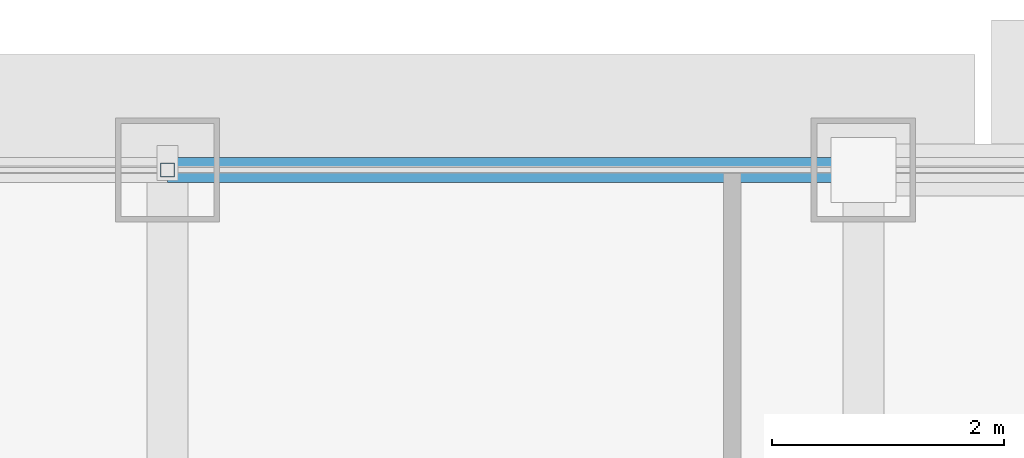
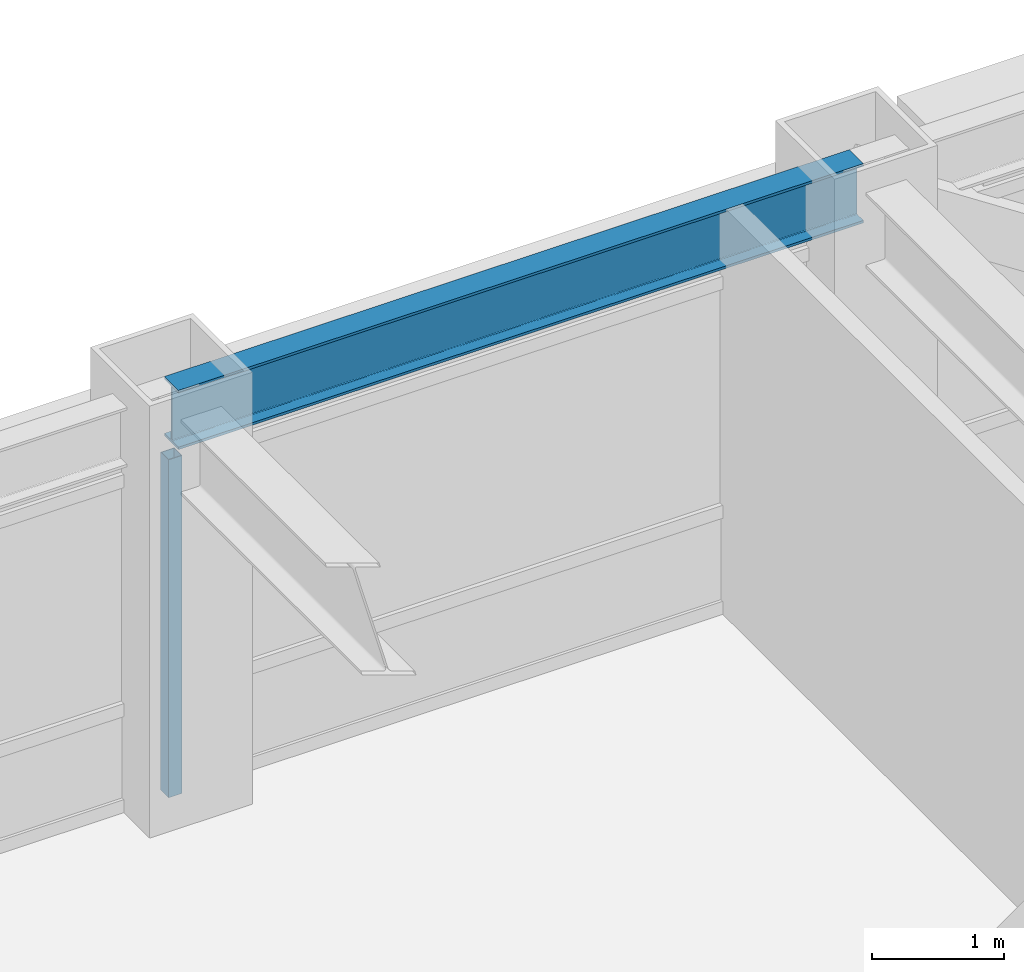
# One storey, part 16 of 29: 1 beam, 1 member, 1 element without a shape of its own.
"""IFC4 building model written with IfcOpenShell, lengths in metres."""

from ifc_helpers import new_model, si_unit, direction, frame, origin, origin_2d, place, context, subcontext, project, spatial, hollow_rectangle, i_section, extrude, source, transform, mapped, material, material_profile, profile_set, type_object, element, aggregate, save


model = new_model("IFC4")

# Units and contexts
model_context = context("Model", 3, precision=1e-05, world=origin(), true_north=direction((0.0, 1.0)))
body_context = subcontext(model_context, "Body", "Model", "MODEL_VIEW")
ifc_project = project(units=[si_unit("LENGTHUNIT", "METRE"), si_unit("AREAUNIT", "SQUARE_METRE"), si_unit("VOLUMEUNIT", "CUBIC_METRE"), si_unit("PLANEANGLEUNIT", "RADIAN"), si_unit("MASSUNIT", "GRAM", prefix="KILO")], contexts=[model_context])

# Site, building, storey
site_placement = place(None, origin())
site = spatial("IfcSite", under=ifc_project, at=site_placement, CompositionType="ELEMENT")
building_placement = place(site_placement, origin())
building = spatial("IfcBuilding", under=site, at=building_placement, Name="Khorayat Bourse Tower", CompositionType="ELEMENT")
storey_placement = place(building_placement, frame((0.0, 0.0, 277.5)))
storey = spatial("IfcBuildingStorey", under=building, at=storey_placement, Name="L65", CompositionType="ELEMENT", Elevation=277.5)

# Beam
ifc_material_1 = material(Name="Steel ASTM A992 Grade 50", Category="steel")
ifc_material_profile_1 = material_profile(ifc_material_1, i_section(OverallWidth=0.214111328125, OverallDepth=0.549072265625, WebThickness=0.0146484375, FlangeThickness=0.023681640625, FilletRadius=0.013916015625, at=origin_2d()), Name="W530X138")
ifc_profile_set_1 = profile_set([ifc_material_profile_1], Name="Steel ASTM A992 Grade 50")
beam_type = type_object("IfcBeamType", Name="BM-SPAN-530", PredefinedType="SPANDREL", material=ifc_profile_set_1)
shared_shape_1 = source(origin(), body_context, "Body", "SweptSolid", [
    extrude(i_section(OverallWidth=0.214111328125, OverallDepth=0.549072265625, WebThickness=0.0146484375, FlangeThickness=0.023681640625, FilletRadius=0.013916015625, at=origin_2d()), origin(), (0.0, 0.0, 1.0), 6.0),
])
beam_placement = place(storey_placement, frame((0.0, 28.0, 3.505615234375), z_axis=(1.0, 0.0, 0.0), x_axis=(0.0, 1.0, 0.0)))
element("IfcBeam", 1, at=beam_placement, inside=storey, type_object=beam_type, Name="L65 BM-SPAN-530 BM-L65-SPN-047", PredefinedType="SPANDREL", context=body_context, shape_type="MappedRepresentation", body=[
    mapped(shared_shape_1, transform((0.0, 0.0, 0.0), scale=1.0)),
])

# Curtain wall, member
ifc_material_2 = material(Name="Aluminium EN AW-6063 T6", Category="aluminium")
curtain_wall_type = type_object("IfcCurtainWallType", Name="CW-SYS-04", PredefinedType="NOTDEFINED", material=ifc_material_2)
curtain_wall_placement = place(storey_placement, origin())
curtain_wall = element("IfcCurtainWall", 2, at=curtain_wall_placement, inside=storey, type_object=curtain_wall_type, Name="L65 Curtain Wall CW-L65-N1", PredefinedType="NOTDEFINED")
ifc_material_profile_2 = material_profile(ifc_material_2, hollow_rectangle(XDim=0.1201171875, YDim=0.1201171875, WallThickness=0.0048828125, at=origin_2d()), Name="ALU 120x120x5")
ifc_profile_set_2 = profile_set([ifc_material_profile_2], Name="Aluminium EN AW-6063 T6")
member_type = type_object("IfcMemberType", Name="CWM-VERT-120", PredefinedType="MULLION", material=ifc_profile_set_2)
shared_shape_2 = source(origin(), body_context, "Body", "SweptSolid", [
    extrude(hollow_rectangle(XDim=0.1201171875, YDim=0.1201171875, WallThickness=0.0048828125, at=origin_2d()), origin(), (0.0, 0.0, 1.0), 3.1298828125),
])
member_placement = place(storey_placement, frame((0.0, 28.0, 0.0), z_axis=(0.0, 0.0, 1.0), x_axis=(0.0, 1.0, 0.0)))
member = element("IfcMember", 3, at=member_placement, type_object=member_type, Name="CW-L65-N1 Vertical Mullion 2", PredefinedType="MULLION", context=body_context, shape_type="MappedRepresentation", body=[
    mapped(shared_shape_2, transform((0.0, 0.0, 0.0), scale=1.0)),
])
aggregate(curtain_wall, [member])

save(model, "model.ifc")
